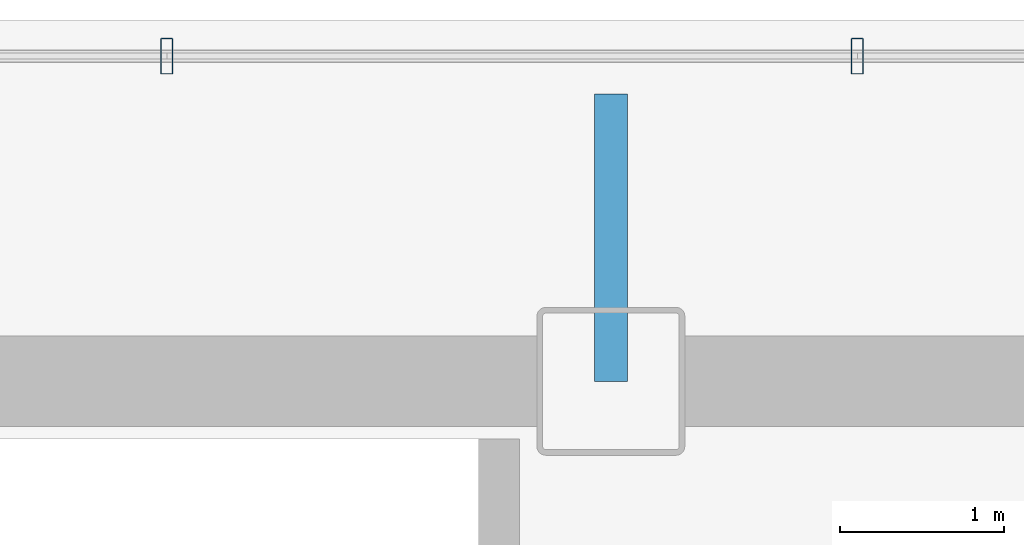
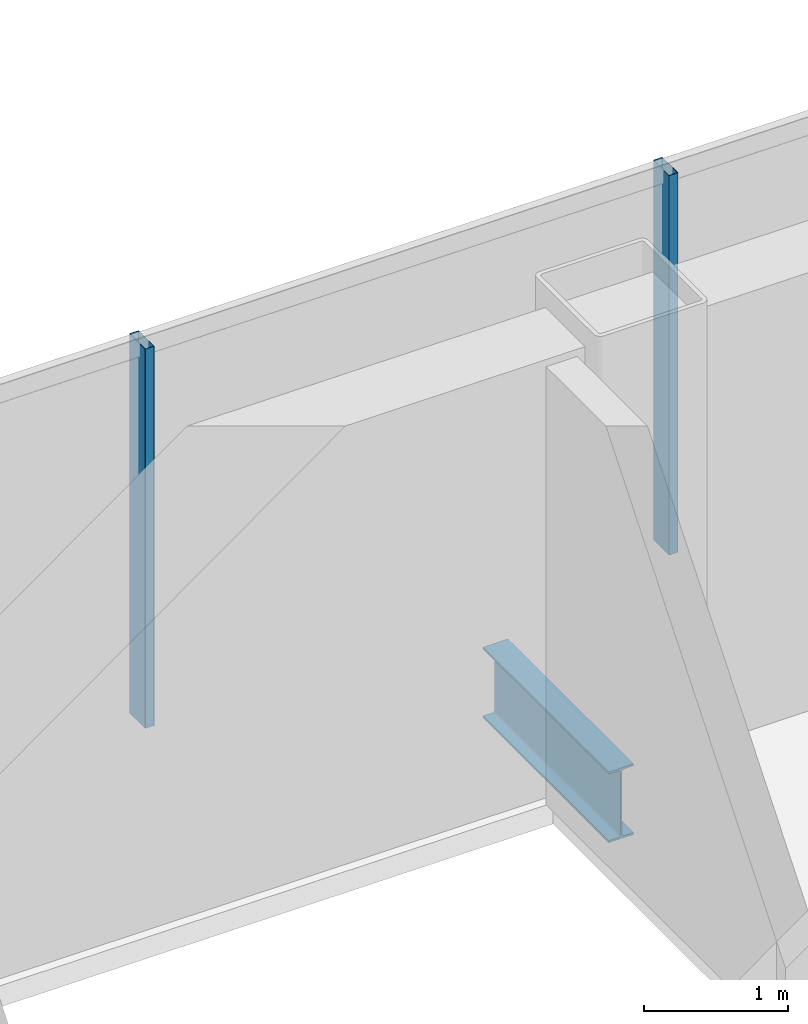
# One storey, part 10 of 22: 2 members, 1 beam, 1 element without a shape of its own.
"""IFC4 building model written with IfcOpenShell, lengths in metres."""

from ifc_helpers import new_model, si_unit, direction, frame, origin, origin_2d, place, context, subcontext, project, spatial, hollow_rectangle, i_section, extrude, material, material_profile, profile_set, type_object, element, aggregate, save


model = new_model("IFC4")

# Units and contexts
model_context = context("Model", 3, precision=1e-05, world=origin(), true_north=direction((0.0, 1.0)))
body_context = subcontext(model_context, "Body", "Model", "MODEL_VIEW")
ifc_project = project(units=[si_unit("LENGTHUNIT", "METRE"), si_unit("AREAUNIT", "SQUARE_METRE"), si_unit("VOLUMEUNIT", "CUBIC_METRE"), si_unit("PLANEANGLEUNIT", "RADIAN"), si_unit("MASSUNIT", "GRAM", prefix="KILO")], contexts=[model_context])

# Site, building, storey
site_placement = place(None, origin())
site = spatial("IfcSite", under=ifc_project, at=site_placement, CompositionType="ELEMENT")
building_placement = place(site_placement, origin())
building = spatial("IfcBuilding", under=site, at=building_placement, Name="Noeulbin Bourse Tower", CompositionType="ELEMENT")
storey_placement = place(building_placement, frame((0.0, 0.0, 134.39990234375)))
storey = spatial("IfcBuildingStorey", under=building, at=storey_placement, Name="L33", CompositionType="ELEMENT", Elevation=134.39990234375)

# Beam
ifc_material_1 = material(Name="Steel S355", Category="steel")
ifc_material_profile_1 = material_profile(ifc_material_1, i_section(OverallWidth=0.199951171875, OverallDepth=0.60009765625, WebThickness=0.010986328125, FlangeThickness=0.01708984375, FilletRadius=0.02197265625, at=origin_2d()), Name="H-600x200x11x17", Category="LoadBearing")
ifc_profile_set_1 = profile_set([ifc_material_profile_1], Name="Steel S355")
beam_type = type_object("IfcBeamType", Name="BM-GRD-600", PredefinedType="USERDEFINED", material=ifc_profile_set_1)
beam_placement = place(storey_placement, frame((24.0, 38.300048828125, -0.47998046875), z_axis=(0.0, 1.0, 0.0), x_axis=(-1.0, 0.0, 0.0)))
element("IfcBeam", 1, at=beam_placement, inside=storey, type_object=beam_type, Name="Tower Primary Girder NS L33-2.4", ObjectType="GIRDER", PredefinedType="USERDEFINED", context=body_context, shape_type="SweptSolid", body=[
    extrude(i_section(OverallWidth=0.199951171875, OverallDepth=0.60009765625, WebThickness=0.010986328125, FlangeThickness=0.01708984375, FilletRadius=0.02197265625, at=origin_2d()), origin(), (0.0, 0.0, 1.0), 1.75),
])

# Curtain wall, members
ifc_material_2 = material(Name="Dark Tinted Triple Glazing", Category="glass")
curtain_wall_type = type_object("IfcCurtainWallType", Name="CW-SYS-3", PredefinedType="NOTDEFINED", material=ifc_material_2)
curtain_wall_placement = place(storey_placement, origin())
curtain_wall = element("IfcCurtainWall", 2, at=curtain_wall_placement, inside=storey, type_object=curtain_wall_type, Name="Unitised Curtain Wall CW-L33-N", PredefinedType="NOTDEFINED")
ifc_material_3 = material(Name="Anodised Aluminium 6063-T6", Category="aluminium")
ifc_material_profile_2 = material_profile(ifc_material_3, hollow_rectangle(XDim=0.074951171875, YDim=0.219970703125, WallThickness=0.0048828125, InnerFilletRadius=0.00244140625, OuterFilletRadius=0.0048828125, at=origin_2d()), Name="ALU-MULL-75x220x5", Category="LoadBearing")
ifc_profile_set_2 = profile_set([ifc_material_profile_2], Name="Anodised Aluminium 6063-T6")
member_type = type_object("IfcMemberType", Name="CW-SYS-3-MUL", PredefinedType="MULLION", material=ifc_profile_set_2)
member_1_placement = place(storey_placement, frame((21.2958984375, 40.280029296875, -0.02001953125), z_axis=(0.0, 0.0, 1.0), x_axis=(1.0, 0.0, 0.0)))
member_1 = element("IfcMember", 3, at=member_1_placement, type_object=member_type, Name="Curtain Wall Mullion CW-L33-N-M04", PredefinedType="MULLION", context=body_context, shape_type="SweptSolid", body=[
    extrude(hollow_rectangle(XDim=0.074951171875, YDim=0.219970703125, WallThickness=0.0048828125, InnerFilletRadius=0.00244140625, OuterFilletRadius=0.0048828125, at=origin_2d()), origin(), (0.0, 0.0, 1.0), 3.22021484375),
])
member_2_placement = place(storey_placement, frame((25.5, 40.280029296875, -0.02001953125), z_axis=(0.0, 0.0, 1.0), x_axis=(1.0, 0.0, 0.0)))
member_2 = element("IfcMember", 4, at=member_2_placement, type_object=member_type, Name="Curtain Wall Mullion CW-L33-N-M05", PredefinedType="MULLION", context=body_context, shape_type="SweptSolid", body=[
    extrude(hollow_rectangle(XDim=0.074951171875, YDim=0.219970703125, WallThickness=0.0048828125, InnerFilletRadius=0.00244140625, OuterFilletRadius=0.0048828125, at=origin_2d()), origin(), (0.0, 0.0, 1.0), 3.22021484375),
])
aggregate(curtain_wall, [member_1, member_2])

save(model, "model.ifc")
